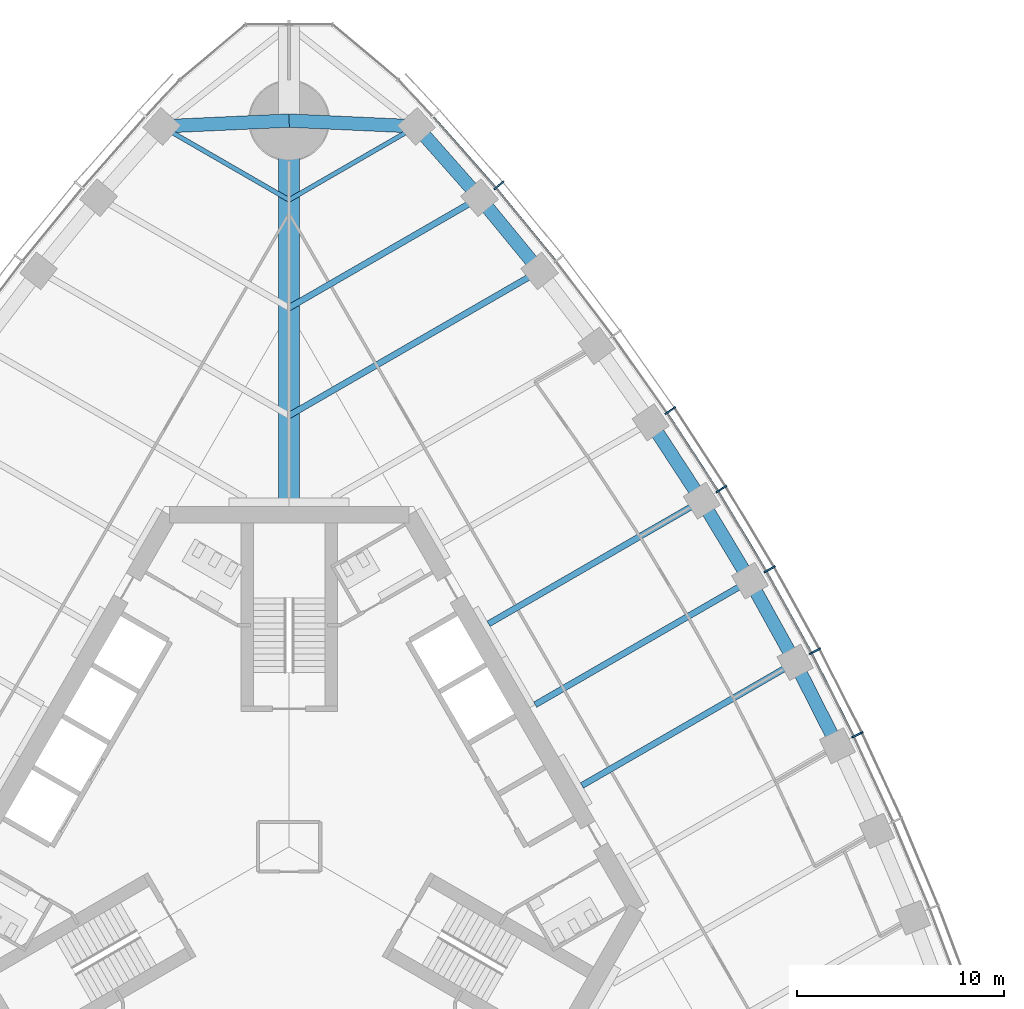
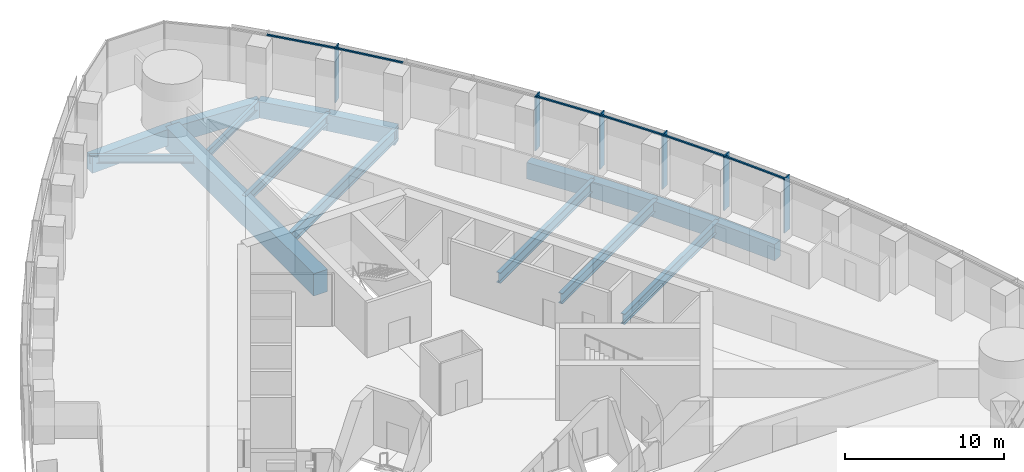
# One storey, part 6 of 19: 16 beams, 12 members, 1 element without a shape of its own.
"""IFC4 building model written with IfcOpenShell, lengths in metres."""

from ifc_helpers import new_model, si_unit, direction, frame, origin, origin_2d, place, context, subcontext, project, spatial, rectangle, i_section, extrude, material, material_profile, profile_set, type_object, element, aggregate, save


model = new_model("IFC4")

# Units and contexts
model_context = context("Model", 3, precision=1e-05, world=origin(), true_north=direction((0.0, 1.0)))
body_context = subcontext(model_context, "Body", "Model", "MODEL_VIEW")
ifc_project = project(units=[si_unit("LENGTHUNIT", "METRE"), si_unit("AREAUNIT", "SQUARE_METRE"), si_unit("VOLUMEUNIT", "CUBIC_METRE"), si_unit("PLANEANGLEUNIT", "RADIAN"), si_unit("MASSUNIT", "GRAM", prefix="KILO")], contexts=[model_context])

# Site, building, storey
site_placement = place(None, origin())
site = spatial("IfcSite", under=ifc_project, at=site_placement, CompositionType="ELEMENT")
building_placement = place(site_placement, origin())
building = spatial("IfcBuilding", under=site, at=building_placement, Name="Trefoil Bronze Tower", CompositionType="ELEMENT")
storey_placement = place(building_placement, frame((0.0, 0.0, 119.89990234375)))
storey = spatial("IfcBuildingStorey", under=building, at=storey_placement, Name="L27", CompositionType="ELEMENT", Elevation=119.89990234375)

# Curtain wall, members
ifc_material_1 = material(Name="Tinted solar-control glass", Category="glass")
curtain_wall_type = type_object("IfcCurtainWallType", Name="Bronze office curtain wall", PredefinedType="USERDEFINED", material=ifc_material_1)
curtain_wall_placement = place(storey_placement, origin())
curtain_wall = element("IfcCurtainWall", 1, at=curtain_wall_placement, inside=storey, type_object=curtain_wall_type, Name="CW-A L27 F2", ObjectType="CURTAIN WALL", PredefinedType="USERDEFINED")
ifc_material_2 = material(Name="Bronze-finish aluminium", Category="aluminium")
ifc_material_profile_1 = material_profile(ifc_material_2, rectangle(XDim=0.60009765625, YDim=0.080078125, at=origin_2d()), Name="CW-A mullion")
ifc_profile_set_1 = profile_set([ifc_material_profile_1], Name="Bronze-finish aluminium")
member_type_1 = type_object("IfcMemberType", Name="Bronze office curtain wall mullion", PredefinedType="MULLION", material=ifc_profile_set_1)
member_1_placement = place(storey_placement, frame((27.394775390625, 5.399169921875, 0.0), z_axis=(0.0, 0.0, 1.0), x_axis=(-0.899819602033, -0.436262173236, 0.0)))
member_1 = element("IfcMember", 2, at=member_1_placement, type_object=member_type_1, Name="CW-A L27 F2 mullion 6", PredefinedType="MULLION", context=body_context, shape_type="SweptSolid", body=[
    extrude(rectangle(XDim=0.60009765625, YDim=0.080078125, at=origin_2d()), origin(), (0.0, 0.0, 1.0), 4.18017578125),
])
member_2_placement = place(storey_placement, frame((25.350830078125, 9.427734375, 0.0), z_axis=(0.0, 0.0, 1.0), x_axis=(-0.883486441467, -0.468456729853, 0.0)))
member_2 = element("IfcMember", 3, at=member_2_placement, type_object=member_type_1, Name="CW-A L27 F2 mullion 7", PredefinedType="MULLION", context=body_context, shape_type="SweptSolid", body=[
    extrude(rectangle(XDim=0.60009765625, YDim=0.080078125, at=origin_2d()), origin(), (0.0, 0.0, 1.0), 4.18017578125),
])
member_3_placement = place(storey_placement, frame((23.166015625, 13.374755859375, 0.0), z_axis=(0.0, 0.0, 1.0), x_axis=(-0.866025403784, -0.5, 0.0)))
member_3 = element("IfcMember", 4, at=member_3_placement, type_object=member_type_1, Name="CW-A L27 F2 mullion 8", PredefinedType="MULLION", context=body_context, shape_type="SweptSolid", body=[
    extrude(rectangle(XDim=0.60009765625, YDim=0.080078125, at=origin_2d()), origin(), (0.0, 0.0, 1.0), 4.18017578125),
])
member_4_placement = place(storey_placement, frame((20.840087890625, 17.24072265625, 0.0), z_axis=(0.0, 0.0, 1.0), x_axis=(-0.84743864936, -0.530893337283, 0.0)))
member_4 = element("IfcMember", 5, at=member_4_placement, type_object=member_type_1, Name="CW-A L27 F2 mullion 9", PredefinedType="MULLION", context=body_context, shape_type="SweptSolid", body=[
    extrude(rectangle(XDim=0.60009765625, YDim=0.080078125, at=origin_2d()), origin(), (0.0, 0.0, 1.0), 4.18017578125),
])
member_5_placement = place(storey_placement, frame((18.373046875, 21.025146484375, 0.0), z_axis=(0.0, 0.0, 1.0), x_axis=(-0.827723925749, -0.561135547566, 0.0)))
member_5 = element("IfcMember", 6, at=member_5_placement, type_object=member_type_1, Name="CW-A L27 F2 mullion 10", PredefinedType="MULLION", context=body_context, shape_type="SweptSolid", body=[
    extrude(rectangle(XDim=0.60009765625, YDim=0.080078125, at=origin_2d()), origin(), (0.0, 0.0, 1.0), 4.18017578125),
])
member_6_placement = place(storey_placement, frame((10.11474609375, 31.8828125, 0.0), z_axis=(0.0, 0.0, 1.0), x_axis=(-0.761721651066, -0.647904411389, 0.0)))
member_6 = element("IfcMember", 7, at=member_6_placement, type_object=member_type_1, Name="CW-A L27 F2 mullion 13", PredefinedType="MULLION", context=body_context, shape_type="SweptSolid", body=[
    extrude(rectangle(XDim=0.60009765625, YDim=0.080078125, at=origin_2d()), origin(), (0.0, 0.0, 1.0), 4.18017578125),
])
ifc_material_3 = material(Name="Bronze-finish aluminium", Category="aluminium")
ifc_material_profile_2 = material_profile(ifc_material_3, rectangle(XDim=0.1201171875, YDim=0.10009765625, at=origin_2d()), Name="CW-A transom")
ifc_profile_set_2 = profile_set([ifc_material_profile_2], Name="Bronze-finish aluminium")
member_type_2 = type_object("IfcMemberType", Name="Bronze office curtain wall transom", PredefinedType="USERDEFINED", material=ifc_profile_set_2)
member_7_placement = place(storey_placement, frame((27.196044921875, 5.34912109375, 4.130126953125), z_axis=(-0.452478489814, 0.891775317138, 0.0), x_axis=(-0.891775317138, -0.452478489814, 0.0)))
member_7 = element("IfcMember", 8, at=member_7_placement, type_object=member_type_2, Name="CW-A L27 F2 transom 6", ObjectType="TRANSOM", PredefinedType="USERDEFINED", context=body_context, shape_type="SweptSolid", body=[
    extrude(rectangle(XDim=0.1201171875, YDim=0.10009765625, at=origin_2d()), origin(), (0.0, 0.0, 1.0), 4.426513671875),
])
member_8_placement = place(storey_placement, frame((25.154052734375, 9.37060546875, 4.130126953125), z_axis=(-0.484329470343, 0.874885686337, 0.0), x_axis=(-0.874885686337, -0.484329470343, 0.0)))
member_8 = element("IfcMember", 9, at=member_8_placement, type_object=member_type_2, Name="CW-A L27 F2 transom 7", ObjectType="TRANSOM", PredefinedType="USERDEFINED", context=body_context, shape_type="SweptSolid", body=[
    extrude(rectangle(XDim=0.1201171875, YDim=0.10009765625, at=origin_2d()), origin(), (0.0, 0.0, 1.0), 4.4208984375),
])
member_9_placement = place(storey_placement, frame((22.97119140625, 13.310546875, 4.130126953125), z_axis=(-0.515526794174, 0.856873458854, 0.0), x_axis=(-0.856873458854, -0.515526794174, 0.0)))
member_9 = element("IfcMember", 10, at=member_9_placement, type_object=member_type_2, Name="CW-A L27 F2 transom 8", ObjectType="TRANSOM", PredefinedType="USERDEFINED", context=body_context, shape_type="SweptSolid", body=[
    extrude(rectangle(XDim=0.1201171875, YDim=0.10009765625, at=origin_2d()), origin(), (0.0, 0.0, 1.0), 4.4208984375),
])
member_10_placement = place(storey_placement, frame((20.647705078125, 17.16943359375, 4.130126953125), z_axis=(-0.546079336226, 0.837733465099, 0.0), x_axis=(-0.837733465099, -0.546079336226, 0.0)))
member_10 = element("IfcMember", 11, at=member_10_placement, type_object=member_type_2, Name="CW-A L27 F2 transom 9", ObjectType="TRANSOM", PredefinedType="USERDEFINED", context=body_context, shape_type="SweptSolid", body=[
    extrude(rectangle(XDim=0.1201171875, YDim=0.10009765625, at=origin_2d()), origin(), (0.0, 0.0, 1.0), 4.426513671875),
])
member_11_placement = place(storey_placement, frame((12.82861328125, 28.255615234375, 4.130126953125), z_axis=(-0.633848872297, 0.773456919995, 0.0), x_axis=(-0.773456919995, -0.633848872297, 0.0)))
member_11 = element("IfcMember", 12, at=member_11_placement, type_object=member_type_2, Name="CW-A L27 F2 transom 12", ObjectType="TRANSOM", PredefinedType="USERDEFINED", context=body_context, shape_type="SweptSolid", body=[
    extrude(rectangle(XDim=0.1201171875, YDim=0.10009765625, at=origin_2d()), origin(), (0.0, 0.0, 1.0), 4.480224609375),
])
member_12_placement = place(storey_placement, frame((9.9345703125, 31.78466796875, 4.130126953125), z_axis=(-0.66173618877, 0.749736764786, 0.0), x_axis=(-0.749736764786, -0.66173618877, 0.0)))
member_12 = element("IfcMember", 13, at=member_12_placement, type_object=member_type_2, Name="CW-A L27 F2 transom 13", ObjectType="TRANSOM", PredefinedType="USERDEFINED", context=body_context, shape_type="SweptSolid", body=[
    extrude(rectangle(XDim=0.1201171875, YDim=0.10009765625, at=origin_2d()), origin(), (0.0, 0.0, 1.0), 4.510986328125),
])
aggregate(curtain_wall, [member_1, member_2, member_3, member_4, member_5, member_6, member_7, member_8, member_9, member_10, member_11, member_12])

# Beams
ifc_material_4 = material(Name="Concrete B80", Category="concrete")
ifc_material_profile_3 = material_profile(ifc_material_4, rectangle(XDim=1.0, YDim=1.699951171875, at=origin_2d()), Name="RC 1000x1700")
ifc_profile_set_3 = profile_set([ifc_material_profile_3], Name="Concrete B80")
beam_type_1 = type_object("IfcBeamType", Name="Corner girder RC 1000x1700", PredefinedType="BEAM", material=ifc_profile_set_3)
beam_1_placement = place(storey_placement, frame((0.0, 16.39990234375, -1.0498046875), z_axis=(0.0, 1.0, 0.0), x_axis=(-1.0, 0.0, 0.0)))
element("IfcBeam", 14, at=beam_1_placement, inside=storey, type_object=beam_type_1, Name="Corner girder K2 L27", PredefinedType="BEAM", context=body_context, shape_type="SweptSolid", body=[
    extrude(rectangle(XDim=1.0, YDim=1.699951171875, at=origin_2d()), origin(), (0.0, 0.0, 1.0), 18.60009765625),
])
ifc_material_5 = material(Name="Concrete B80", Category="concrete")
ifc_material_profile_4 = material_profile(ifc_material_5, rectangle(XDim=0.64990234375, YDim=1.25, at=origin_2d()), Name="RC 650x1250")
ifc_profile_set_4 = profile_set([ifc_material_profile_4], Name="Concrete B80")
beam_type_2 = type_object("IfcBeamType", Name="End spandrel beam RC 650x1250", PredefinedType="SPANDREL", material=ifc_profile_set_4)
for number, where, z_axis, x_axis, name in (
    (15, (6.13916015625, 34.72119140625, -0.824951171875), (-0.998970341464, 0.045368015985, 0.0), (-0.045368015985, -0.998970341464, 0.0), "Spandrel F2.14 L27"),
    (16, (0.0, 35.0, -0.824951171875), (-0.998970341464, -0.045368015985, 0.0), (0.045368015985, -0.998970341464, 0.0), "Spandrel F3.1 L27"),
):
    element("IfcBeam", number, at=place(storey_placement, frame(where, z_axis=z_axis, x_axis=x_axis)), inside=storey, type_object=beam_type_2, Name=name, PredefinedType="SPANDREL", context=body_context, shape_type="SweptSolid", body=[
        extrude(rectangle(XDim=0.64990234375, YDim=1.25, at=origin_2d()), origin(), (0.0, 0.0, 1.0), 6.1455078125),
    ])
ifc_material_6 = material(Name="Steel C355", Category="steel")
ifc_material_profile_5 = material_profile(ifc_material_6, i_section(OverallWidth=0.300048828125, OverallDepth=0.699951171875, WebThickness=0.01708984375, FlangeThickness=0.031982421875, FilletRadius=0.027099609375, at=origin_2d()), Name="HEB 700")
ifc_profile_set_5 = profile_set([ifc_material_profile_5], Name="Steel C355")
beam_type_3 = type_object("IfcBeamType", Name="Floor beam HEB 700", PredefinedType="BEAM", material=ifc_profile_set_5)
beam_2_placement = place(storey_placement, frame((9.181884765625, 31.281982421875, -0.5498046875), z_axis=(-0.866021079084, -0.500007490527, 0.0), x_axis=(0.500007490527, -0.866021079084, 0.0)))
element("IfcBeam", 17, at=beam_2_placement, inside=storey, type_object=beam_type_3, Name="Floor beam F2/+5 L27", PredefinedType="BEAM", context=body_context, shape_type="SweptSolid", body=[
    extrude(i_section(OverallWidth=0.300048828125, OverallDepth=0.699951171875, WebThickness=0.01708984375, FlangeThickness=0.031982421875, FilletRadius=0.027099609375, at=origin_2d()), origin(), (0.0, 0.0, 1.0), 10.602294921875),
])
ifc_material_7 = material(Name="Steel C355", Category="steel")
ifc_material_profile_6 = material_profile(ifc_material_7, i_section(OverallWidth=0.300048828125, OverallDepth=0.800048828125, WebThickness=0.017578125, FlangeThickness=0.032958984375, FilletRadius=0.030029296875, at=origin_2d()), Name="HEB 800")
ifc_profile_set_6 = profile_set([ifc_material_profile_6], Name="Steel C355")
beam_type_4 = type_object("IfcBeamType", Name="Floor beam HEB 800", PredefinedType="BEAM", material=ifc_profile_set_6)
beam_3_placement = place(storey_placement, frame((24.392578125, 8.886962890625, -0.599853515625), z_axis=(-0.866024236736, -0.500002021381, 0.0), x_axis=(0.500002021381, -0.866024236736, 0.0)))
element("IfcBeam", 18, at=beam_3_placement, inside=storey, type_object=beam_type_4, Name="Floor beam F2/-1 L27", PredefinedType="BEAM", context=body_context, shape_type="SweptSolid", body=[
    extrude(i_section(OverallWidth=0.300048828125, OverallDepth=0.800048828125, WebThickness=0.017578125, FlangeThickness=0.032958984375, FilletRadius=0.030029296875, at=origin_2d()), origin(), (0.0, 0.0, 1.0), 11.8681640625),
])
beam_4_placement = place(storey_placement, frame((22.21337890625, 12.824951171875, -0.599853515625), z_axis=(-0.866028062731, -0.499995394541, 0.0), x_axis=(0.499995394541, -0.866028062731, 0.0)))
element("IfcBeam", 19, at=beam_4_placement, inside=storey, type_object=beam_type_4, Name="Floor beam F2/+0 L27", PredefinedType="BEAM", context=body_context, shape_type="SweptSolid", body=[
    extrude(i_section(OverallWidth=0.300048828125, OverallDepth=0.800048828125, WebThickness=0.017578125, FlangeThickness=0.032958984375, FilletRadius=0.030029296875, at=origin_2d()), origin(), (0.0, 0.0, 1.0), 11.94970703125),
])
beam_5_placement = place(storey_placement, frame((19.892578125, 16.68115234375, -0.599853515625), z_axis=(-0.866024236736, -0.500002021381, 0.0), x_axis=(0.500002021381, -0.866024236736, 0.0)))
element("IfcBeam", 20, at=beam_5_placement, inside=storey, type_object=beam_type_4, Name="Floor beam F2/+1 L27", PredefinedType="BEAM", context=body_context, shape_type="SweptSolid", body=[
    extrude(i_section(OverallWidth=0.300048828125, OverallDepth=0.800048828125, WebThickness=0.017578125, FlangeThickness=0.032958984375, FilletRadius=0.030029296875, at=origin_2d()), origin(), (0.0, 0.0, 1.0), 11.8681640625),
])
ifc_material_8 = material(Name="Steel C355", Category="steel")
ifc_material_profile_7 = material_profile(ifc_material_8, i_section(OverallWidth=0.300048828125, OverallDepth=0.89990234375, WebThickness=0.0185546875, FlangeThickness=0.034912109375, FilletRadius=0.030029296875, at=origin_2d()), Name="HEB 900")
ifc_profile_set_7 = profile_set([ifc_material_profile_7], Name="Steel C355")
beam_type_5 = type_object("IfcBeamType", Name="Floor beam HEB 900", PredefinedType="BEAM", material=ifc_profile_set_7)
beam_6_placement = place(storey_placement, frame((12.07666015625, 27.757080078125, -0.64990234375), z_axis=(-0.866026983775, -0.499997263366, 0.0), x_axis=(0.499997263366, -0.866026983775, 0.0)))
element("IfcBeam", 21, at=beam_6_placement, inside=storey, type_object=beam_type_5, Name="Floor beam F2/+4 L27", PredefinedType="BEAM", context=body_context, shape_type="SweptSolid", body=[
    extrude(i_section(OverallWidth=0.300048828125, OverallDepth=0.89990234375, WebThickness=0.0185546875, FlangeThickness=0.034912109375, FilletRadius=0.030029296875, at=origin_2d()), origin(), (0.0, 0.0, 1.0), 13.94482421875),
])
ifc_material_9 = material(Name="Steel C355", Category="steel")
ifc_material_profile_8 = material_profile(ifc_material_9, i_section(OverallWidth=0.219970703125, OverallDepth=0.60009765625, WebThickness=0.011962890625, FlangeThickness=0.01904296875, FilletRadius=0.02392578125, at=origin_2d()), Name="IPE 600")
ifc_profile_set_8 = profile_set([ifc_material_profile_8], Name="Steel C355")
beam_type_6 = type_object("IfcBeamType", Name="Floor beam IPE 600", PredefinedType="BEAM", material=ifc_profile_set_8)
for number, where, z_axis, x_axis, name in (
    (22, (6.13916015625, 34.72119140625, -0.5), (-0.866041060244, -0.499972881236, 0.0), (0.499972881236, -0.866041060244, 0.0), "Floor beam F2/+6 L27"),
    (23, (-6.13916015625, 34.72119140625, -0.5), (0.866041060244, -0.499972881236, 0.0), (0.499972881236, 0.866041060244, 0.0), "Floor beam F3/-6 L27"),
):
    element("IfcBeam", number, at=place(storey_placement, frame(where, z_axis=z_axis, x_axis=x_axis)), inside=storey, type_object=beam_type_6, Name=name, PredefinedType="BEAM", context=body_context, shape_type="SweptSolid", body=[
        extrude(i_section(OverallWidth=0.219970703125, OverallDepth=0.60009765625, WebThickness=0.011962890625, FlangeThickness=0.01904296875, FilletRadius=0.02392578125, at=origin_2d()), origin(), (0.0, 0.0, 1.0), 7.0888671875),
    ])
ifc_material_10 = material(Name="Concrete B80", Category="concrete")
ifc_material_profile_9 = material_profile(ifc_material_10, rectangle(XDim=0.64990234375, YDim=1.25, at=origin_2d()), Name="RC 650x1250")
ifc_profile_set_9 = profile_set([ifc_material_profile_9], Name="Concrete B80")
beam_type_7 = type_object("IfcBeamType", Name="Spandrel beam RC 650x1250", PredefinedType="SPANDREL", material=ifc_profile_set_9)
beam_7_placement = place(storey_placement, frame((26.43017578125, 4.8671875, -0.824951171875), z_axis=(-0.452125717735, 0.891954222683, 0.0), x_axis=(-0.891954222683, -0.452125717735, 0.0)))
element("IfcBeam", 24, at=beam_7_placement, inside=storey, type_object=beam_type_7, Name="Spandrel F2.6 L27", PredefinedType="SPANDREL", context=body_context, shape_type="SweptSolid", body=[
    extrude(rectangle(XDim=0.64990234375, YDim=1.25, at=origin_2d()), origin(), (0.0, 0.0, 1.0), 4.506591796875),
])
for number, where, z_axis, x_axis, name in (
    (25, (24.392578125, 8.886962890625, -0.824951171875), (-0.484186866546, 0.874964615436, 0.0), (-0.874964615436, -0.484186866546, 0.0), "Spandrel F2.7 L27"),
    (26, (22.21337890625, 12.824951171875, -0.824951171875), (-0.515651979972, 0.856798129988, 0.0), (-0.856798129988, -0.515651979972, 0.0), "Spandrel F2.8 L27"),
):
    element("IfcBeam", number, at=place(storey_placement, frame(where, z_axis=z_axis, x_axis=x_axis)), inside=storey, type_object=beam_type_7, Name=name, PredefinedType="SPANDREL", context=body_context, shape_type="SweptSolid", body=[
        extrude(rectangle(XDim=0.64990234375, YDim=1.25, at=origin_2d()), origin(), (0.0, 0.0, 1.0), 4.500732421875),
    ])
beam_8_placement = place(storey_placement, frame((19.892578125, 16.68115234375, -0.824951171875), z_axis=(-0.546396670296, 0.83752652417, 0.0), x_axis=(-0.83752652417, -0.546396670296, 0.0)))
element("IfcBeam", 27, at=beam_8_placement, inside=storey, type_object=beam_type_7, Name="Spandrel F2.9 L27", PredefinedType="SPANDREL", context=body_context, shape_type="SweptSolid", body=[
    extrude(rectangle(XDim=0.64990234375, YDim=1.25, at=origin_2d()), origin(), (0.0, 0.0, 1.0), 4.506591796875),
])
beam_9_placement = place(storey_placement, frame((12.07666015625, 27.757080078125, -0.824951171875), z_axis=(-0.634650386838, 0.772799383079, 0.0), x_axis=(-0.772799383079, -0.634650386838, 0.0)))
element("IfcBeam", 28, at=beam_9_placement, inside=storey, type_object=beam_type_7, Name="Spandrel F2.12 L27", PredefinedType="SPANDREL", context=body_context, shape_type="SweptSolid", body=[
    extrude(rectangle(XDim=0.64990234375, YDim=1.25, at=origin_2d()), origin(), (0.0, 0.0, 1.0), 4.561279296875),
])
beam_10_placement = place(storey_placement, frame((9.181884765625, 31.281982421875, -0.824951171875), z_axis=(-0.662616326239, 0.748959013699, 0.0), x_axis=(-0.748959013699, -0.662616326239, 0.0)))
element("IfcBeam", 29, at=beam_10_placement, inside=storey, type_object=beam_type_7, Name="Spandrel F2.13 L27", PredefinedType="SPANDREL", context=body_context, shape_type="SweptSolid", body=[
    extrude(rectangle(XDim=0.64990234375, YDim=1.25, at=origin_2d()), origin(), (0.0, 0.0, 1.0), 4.592041015625),
])

save(model, "model.ifc")
